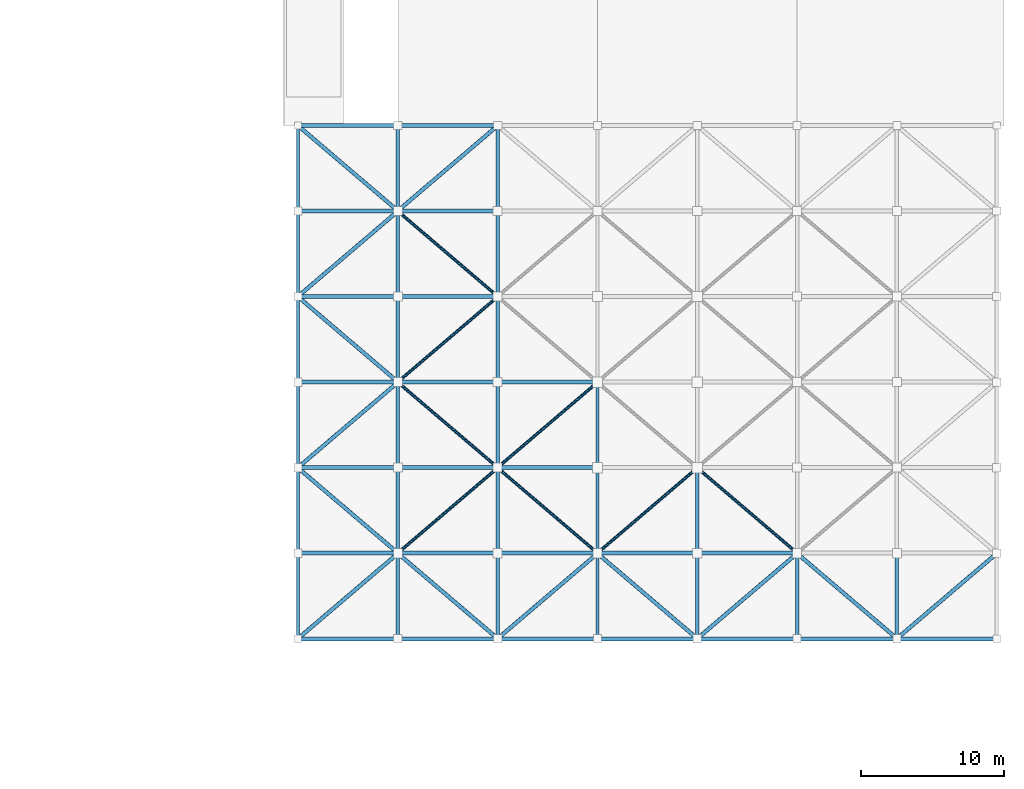
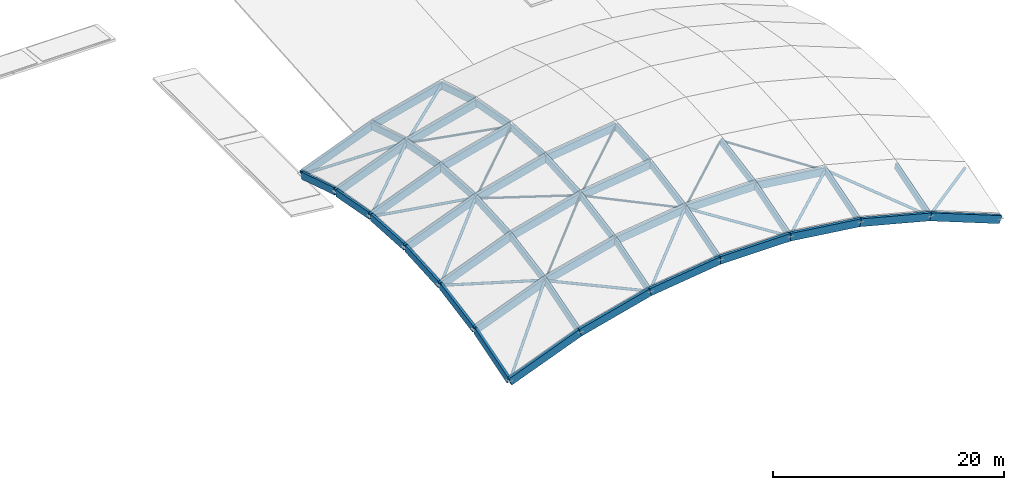
# One storey, part 1 of 11: 49 beams, 21 members.
"""IFC4 building model written with IfcOpenShell, lengths in metres."""

from ifc_helpers import new_model, si_unit, direction, frame, origin, origin_2d, place, context, subcontext, project, spatial, rectangle, hollow_circle, extrude, material, material_profile, profile_set, type_object, element, save


model = new_model("IFC4")

# Units and contexts
model_context = context("Model", 3, precision=1e-05, world=origin(), true_north=direction((0.0, 1.0)))
body_context = subcontext(model_context, "Body", "Model", "MODEL_VIEW")
ifc_project = project(units=[si_unit("LENGTHUNIT", "METRE"), si_unit("AREAUNIT", "SQUARE_METRE"), si_unit("VOLUMEUNIT", "CUBIC_METRE"), si_unit("PLANEANGLEUNIT", "RADIAN"), si_unit("MASSUNIT", "GRAM", prefix="KILO")], contexts=[model_context])

# Site, building, storey
site_placement = place(None, origin())
site = spatial("IfcSite", under=ifc_project, at=site_placement, CompositionType="ELEMENT")
building_placement = place(site_placement, origin())
building = spatial("IfcBuilding", under=site, at=building_placement, Name="Tonlespit Floodbar School", CompositionType="ELEMENT")
storey_placement = place(building_placement, frame((0.0, 0.0, 24.0)))
storey = spatial("IfcBuildingStorey", under=building, at=storey_placement, Name="RF", CompositionType="ELEMENT", Elevation=24.0)

# Beams
ifc_material_1 = material(Name="Glulam GL28h", Category="wood")
ifc_material_profile_1 = material_profile(ifc_material_1, rectangle(XDim=0.239990234375, YDim=0.719970703125, at=origin_2d()), Name="GL 240x720")
ifc_profile_set_1 = profile_set([ifc_material_profile_1], Name="Glulam GL28h")
beam_type_1 = type_object("IfcBeamType", Name="ArchRib_GL_240x720", PredefinedType="BEAM", material=ifc_profile_set_1)
beam_1_placement = place(storey_placement, frame((127.0, 20.139892578125, -14.8349609375), z_axis=(0.0, 0.954941518321, 0.296794030577), x_axis=(-1.0, 0.0, 0.0)))
element("IfcBeam", 1, at=beam_1_placement, inside=storey, type_object=beam_type_1, Name="Gridshell transverse arch rib 1-1", PredefinedType="BEAM", context=body_context, shape_type="SweptSolid", body=[
    extrude(rectangle(XDim=0.239990234375, YDim=0.719970703125, at=origin_2d()), origin(), (0.0, 0.0, 1.0), 5.990234375),
])
beam_2_placement = place(storey_placement, frame((127.0, 26.139892578125, -13.05712890625), z_axis=(0.0, 0.983055045166, 0.183310605733), x_axis=(-1.0, 0.0, 0.0)))
element("IfcBeam", 2, at=beam_2_placement, inside=storey, type_object=beam_type_1, Name="Gridshell transverse arch rib 1-2", PredefinedType="BEAM", context=body_context, shape_type="SweptSolid", body=[
    extrude(rectangle(XDim=0.239990234375, YDim=0.719970703125, at=origin_2d()), origin(), (0.0, 0.0, 1.0), 5.81884765625),
])
for number, where, z_axis, x_axis, name in (
    (3, (127.0, 32.139892578125, -11.990478515625), (0.0, 0.998074725925, 0.062022910839), (-1.0, 0.0, 0.0), "Gridshell transverse arch rib 1-3"),
    (4, (127.0, 38.139892578125, -11.635009765625), (0.0, 0.998074725925, -0.062022910839), (-1.0, 0.0, 0.0), "Gridshell transverse arch rib 1-4"),
):
    element("IfcBeam", number, at=place(storey_placement, frame(where, z_axis=z_axis, x_axis=x_axis)), inside=storey, type_object=beam_type_1, Name=name, PredefinedType="BEAM", context=body_context, shape_type="SweptSolid", body=[
        extrude(rectangle(XDim=0.239990234375, YDim=0.719970703125, at=origin_2d()), origin(), (0.0, 0.0, 1.0), 5.731201171875),
    ])
beam_3_placement = place(storey_placement, frame((127.0, 44.139892578125, -11.990478515625), z_axis=(0.0, 0.983055045166, -0.183310605733), x_axis=(-1.0, 0.0, 0.0)))
element("IfcBeam", 5, at=beam_3_placement, inside=storey, type_object=beam_type_1, Name="Gridshell transverse arch rib 1-5", PredefinedType="BEAM", context=body_context, shape_type="SweptSolid", body=[
    extrude(rectangle(XDim=0.239990234375, YDim=0.719970703125, at=origin_2d()), origin(), (0.0, 0.0, 1.0), 5.81884765625),
])
beam_4_placement = place(storey_placement, frame((127.0, 50.139892578125, -13.05712890625), z_axis=(0.0, 0.954941518321, -0.296794030577), x_axis=(-1.0, 0.0, 0.0)))
element("IfcBeam", 6, at=beam_4_placement, inside=storey, type_object=beam_type_1, Name="Gridshell transverse arch rib 1-6", PredefinedType="BEAM", context=body_context, shape_type="SweptSolid", body=[
    extrude(rectangle(XDim=0.239990234375, YDim=0.719970703125, at=origin_2d()), origin(), (0.0, 0.0, 1.0), 5.990234375),
])
beam_5_placement = place(storey_placement, frame((134.0, 20.139892578125, -12.092041015625), z_axis=(0.0, 0.954953069186, 0.296756862857), x_axis=(-1.0, 0.0, 0.0)))
element("IfcBeam", 7, at=beam_5_placement, inside=storey, type_object=beam_type_1, Name="Gridshell transverse arch rib 2-1", PredefinedType="BEAM", context=body_context, shape_type="SweptSolid", body=[
    extrude(rectangle(XDim=0.239990234375, YDim=0.719970703125, at=origin_2d()), origin(), (0.0, 0.0, 1.0), 5.989990234375),
])
beam_6_placement = place(storey_placement, frame((134.0, 26.139892578125, -10.314453125), z_axis=(0.0, 0.983055045166, 0.183310605733), x_axis=(-1.0, 0.0, 0.0)))
element("IfcBeam", 8, at=beam_6_placement, inside=storey, type_object=beam_type_1, Name="Gridshell transverse arch rib 2-2", PredefinedType="BEAM", context=body_context, shape_type="SweptSolid", body=[
    extrude(rectangle(XDim=0.239990234375, YDim=0.719970703125, at=origin_2d()), origin(), (0.0, 0.0, 1.0), 5.81884765625),
])
for number, where, z_axis, x_axis, name in (
    (9, (134.0, 32.139892578125, -9.247802734375), (0.0, 0.998072088056, 0.062065344955), (-1.0, 0.0, 0.0), "Gridshell transverse arch rib 2-3"),
    (10, (134.0, 38.139892578125, -8.89208984375), (0.0, 0.998072088056, -0.062065344955), (-1.0, 0.0, 0.0), "Gridshell transverse arch rib 2-4"),
):
    element("IfcBeam", number, at=place(storey_placement, frame(where, z_axis=z_axis, x_axis=x_axis)), inside=storey, type_object=beam_type_1, Name=name, PredefinedType="BEAM", context=body_context, shape_type="SweptSolid", body=[
        extrude(rectangle(XDim=0.239990234375, YDim=0.719970703125, at=origin_2d()), origin(), (0.0, 0.0, 1.0), 5.731201171875),
    ])
beam_7_placement = place(storey_placement, frame((134.0, 44.139892578125, -9.247802734375), z_axis=(0.0, 0.983055045166, -0.183310605733), x_axis=(-1.0, 0.0, 0.0)))
element("IfcBeam", 11, at=beam_7_placement, inside=storey, type_object=beam_type_1, Name="Gridshell transverse arch rib 2-5", PredefinedType="BEAM", context=body_context, shape_type="SweptSolid", body=[
    extrude(rectangle(XDim=0.239990234375, YDim=0.719970703125, at=origin_2d()), origin(), (0.0, 0.0, 1.0), 5.81884765625),
])
beam_8_placement = place(storey_placement, frame((134.0, 50.139892578125, -10.314453125), z_axis=(0.0, 0.954953069186, -0.296756862857), x_axis=(-1.0, 0.0, 0.0)))
element("IfcBeam", 12, at=beam_8_placement, inside=storey, type_object=beam_type_1, Name="Gridshell transverse arch rib 2-6", PredefinedType="BEAM", context=body_context, shape_type="SweptSolid", body=[
    extrude(rectangle(XDim=0.239990234375, YDim=0.719970703125, at=origin_2d()), origin(), (0.0, 0.0, 1.0), 5.989990234375),
])
beam_9_placement = place(storey_placement, frame((141.0, 20.139892578125, -10.263671875), z_axis=(0.0, 0.954941518321, 0.296794030577), x_axis=(-1.0, 0.0, 0.0)))
element("IfcBeam", 13, at=beam_9_placement, inside=storey, type_object=beam_type_1, Name="Gridshell transverse arch rib 3-1", PredefinedType="BEAM", context=body_context, shape_type="SweptSolid", body=[
    extrude(rectangle(XDim=0.239990234375, YDim=0.719970703125, at=origin_2d()), origin(), (0.0, 0.0, 1.0), 5.990234375),
])
beam_10_placement = place(storey_placement, frame((141.0, 26.139892578125, -8.48583984375), z_axis=(0.0, 0.983055045166, 0.183310605733), x_axis=(-1.0, 0.0, 0.0)))
element("IfcBeam", 14, at=beam_10_placement, inside=storey, type_object=beam_type_1, Name="Gridshell transverse arch rib 3-2", PredefinedType="BEAM", context=body_context, shape_type="SweptSolid", body=[
    extrude(rectangle(XDim=0.239990234375, YDim=0.719970703125, at=origin_2d()), origin(), (0.0, 0.0, 1.0), 5.81884765625),
])
for number, where, z_axis, x_axis, name in (
    (15, (141.0, 32.139892578125, -7.419189453125), (0.0, 0.998074725925, 0.062022910839), (-1.0, 0.0, 0.0), "Gridshell transverse arch rib 3-3"),
    (16, (141.0, 38.139892578125, -7.063720703125), (0.0, 0.998074725925, -0.062022910839), (-1.0, 0.0, 0.0), "Gridshell transverse arch rib 3-4"),
):
    element("IfcBeam", number, at=place(storey_placement, frame(where, z_axis=z_axis, x_axis=x_axis)), inside=storey, type_object=beam_type_1, Name=name, PredefinedType="BEAM", context=body_context, shape_type="SweptSolid", body=[
        extrude(rectangle(XDim=0.239990234375, YDim=0.719970703125, at=origin_2d()), origin(), (0.0, 0.0, 1.0), 5.731201171875),
    ])
beam_11_placement = place(storey_placement, frame((141.0, 44.139892578125, -7.419189453125), z_axis=(0.0, 0.983055045166, -0.183310605733), x_axis=(-1.0, 0.0, 0.0)))
element("IfcBeam", 17, at=beam_11_placement, inside=storey, type_object=beam_type_1, Name="Gridshell transverse arch rib 3-5", PredefinedType="BEAM", context=body_context, shape_type="SweptSolid", body=[
    extrude(rectangle(XDim=0.239990234375, YDim=0.719970703125, at=origin_2d()), origin(), (0.0, 0.0, 1.0), 5.81884765625),
])
for number, where, z_axis, x_axis, name in (
    (18, (141.0, 50.139892578125, -8.48583984375), (0.0, 0.954941518321, -0.296794030577), (-1.0, 0.0, 0.0), "Gridshell transverse arch rib 3-6"),
    (19, (148.0, 20.139892578125, -9.349365234375), (0.0, 0.954941518321, 0.296794030577), (-1.0, 0.0, 0.0), "Gridshell transverse arch rib 4-1"),
):
    element("IfcBeam", number, at=place(storey_placement, frame(where, z_axis=z_axis, x_axis=x_axis)), inside=storey, type_object=beam_type_1, Name=name, PredefinedType="BEAM", context=body_context, shape_type="SweptSolid", body=[
        extrude(rectangle(XDim=0.239990234375, YDim=0.719970703125, at=origin_2d()), origin(), (0.0, 0.0, 1.0), 5.990234375),
    ])
beam_12_placement = place(storey_placement, frame((148.0, 26.139892578125, -7.571533203125), z_axis=(0.0, 0.983055045166, 0.183310605733), x_axis=(-1.0, 0.0, 0.0)))
element("IfcBeam", 20, at=beam_12_placement, inside=storey, type_object=beam_type_1, Name="Gridshell transverse arch rib 4-2", PredefinedType="BEAM", context=body_context, shape_type="SweptSolid", body=[
    extrude(rectangle(XDim=0.239990234375, YDim=0.719970703125, at=origin_2d()), origin(), (0.0, 0.0, 1.0), 5.81884765625),
])
beam_13_placement = place(storey_placement, frame((148.0, 32.139892578125, -6.5048828125), z_axis=(0.0, 0.998074725925, 0.062022910839), x_axis=(-1.0, 0.0, 0.0)))
element("IfcBeam", 21, at=beam_13_placement, inside=storey, type_object=beam_type_1, Name="Gridshell transverse arch rib 4-3", PredefinedType="BEAM", context=body_context, shape_type="SweptSolid", body=[
    extrude(rectangle(XDim=0.239990234375, YDim=0.719970703125, at=origin_2d()), origin(), (0.0, 0.0, 1.0), 5.731201171875),
])
beam_14_placement = place(storey_placement, frame((155.0, 20.139892578125, -9.349365234375), z_axis=(0.0, 0.954941518321, 0.296794030577), x_axis=(-1.0, 0.0, 0.0)))
element("IfcBeam", 22, at=beam_14_placement, inside=storey, type_object=beam_type_1, Name="Gridshell transverse arch rib 5-1", PredefinedType="BEAM", context=body_context, shape_type="SweptSolid", body=[
    extrude(rectangle(XDim=0.239990234375, YDim=0.719970703125, at=origin_2d()), origin(), (0.0, 0.0, 1.0), 5.990234375),
])
beam_15_placement = place(storey_placement, frame((155.0, 26.139892578125, -7.571533203125), z_axis=(0.0, 0.983055045166, 0.183310605733), x_axis=(-1.0, 0.0, 0.0)))
element("IfcBeam", 23, at=beam_15_placement, inside=storey, type_object=beam_type_1, Name="Gridshell transverse arch rib 5-2", PredefinedType="BEAM", context=body_context, shape_type="SweptSolid", body=[
    extrude(rectangle(XDim=0.239990234375, YDim=0.719970703125, at=origin_2d()), origin(), (0.0, 0.0, 1.0), 5.81884765625),
])
beam_16_placement = place(storey_placement, frame((162.0, 20.139892578125, -10.263671875), z_axis=(0.0, 0.954941518321, 0.296794030577), x_axis=(-1.0, 0.0, 0.0)))
element("IfcBeam", 24, at=beam_16_placement, inside=storey, type_object=beam_type_1, Name="Gridshell transverse arch rib 6-1", PredefinedType="BEAM", context=body_context, shape_type="SweptSolid", body=[
    extrude(rectangle(XDim=0.239990234375, YDim=0.719970703125, at=origin_2d()), origin(), (0.0, 0.0, 1.0), 5.990234375),
])
beam_17_placement = place(storey_placement, frame((169.0, 20.139892578125, -12.092041015625), z_axis=(0.0, 0.954953069186, 0.296756862857), x_axis=(-1.0, 0.0, 0.0)))
element("IfcBeam", 25, at=beam_17_placement, inside=storey, type_object=beam_type_1, Name="Gridshell transverse arch rib 7-1", PredefinedType="BEAM", context=body_context, shape_type="SweptSolid", body=[
    extrude(rectangle(XDim=0.239990234375, YDim=0.719970703125, at=origin_2d()), origin(), (0.0, 0.0, 1.0), 5.989990234375),
])
ifc_material_profile_2 = material_profile(ifc_material_1, rectangle(XDim=0.280029296875, YDim=0.800048828125, at=origin_2d()), Name="GL 280x800")
ifc_profile_set_2 = profile_set([ifc_material_profile_2], Name="Glulam GL28h")
beam_type_2 = type_object("IfcBeamType", Name="ArchRib_GL_280x800", PredefinedType="BEAM", material=ifc_profile_set_2)
beam_18_placement = place(storey_placement, frame((127.0, 20.0, -14.875), z_axis=(0.931071633846, 0.0, 0.364836419024), x_axis=(0.0, 1.0, 0.0)))
element("IfcBeam", 26, at=beam_18_placement, inside=storey, type_object=beam_type_2, Name="Gridshell longitudinal arch rib 1-1", PredefinedType="BEAM", context=body_context, shape_type="SweptSolid", body=[
    extrude(rectangle(XDim=0.280029296875, YDim=0.800048828125, at=origin_2d()), origin(), (0.0, 0.0, 1.0), 7.518310546875),
])
beam_19_placement = place(storey_placement, frame((134.0, 20.0, -12.132080078125), z_axis=(0.967540180935, 0.0, 0.252717229877), x_axis=(0.0, 1.0, 0.0)))
element("IfcBeam", 27, at=beam_19_placement, inside=storey, type_object=beam_type_2, Name="Gridshell longitudinal arch rib 1-2", PredefinedType="BEAM", context=body_context, shape_type="SweptSolid", body=[
    extrude(rectangle(XDim=0.280029296875, YDim=0.800048828125, at=origin_2d()), origin(), (0.0, 0.0, 1.0), 7.23486328125),
])
beam_20_placement = place(storey_placement, frame((141.0, 20.0, -10.3037109375), z_axis=(0.991577447063, 0.0, 0.129515120649), x_axis=(0.0, 1.0, 0.0)))
element("IfcBeam", 28, at=beam_20_placement, inside=storey, type_object=beam_type_2, Name="Gridshell longitudinal arch rib 1-3", PredefinedType="BEAM", context=body_context, shape_type="SweptSolid", body=[
    extrude(rectangle(XDim=0.280029296875, YDim=0.800048828125, at=origin_2d()), origin(), (0.0, 0.0, 1.0), 7.0595703125),
])
beam_21_placement = place(storey_placement, frame((148.0, 20.0, -9.389404296875), z_axis=(1.0, 0.0, 0.0), x_axis=(0.0, 1.0, 0.0)))
element("IfcBeam", 29, at=beam_21_placement, inside=storey, type_object=beam_type_2, Name="Gridshell longitudinal arch rib 1-4", PredefinedType="BEAM", context=body_context, shape_type="SweptSolid", body=[
    extrude(rectangle(XDim=0.280029296875, YDim=0.800048828125, at=origin_2d()), origin(), (0.0, 0.0, 1.0), 7.0),
])
beam_22_placement = place(storey_placement, frame((155.0, 20.0, -9.389404296875), z_axis=(0.991577447063, 0.0, -0.129515120649), x_axis=(0.0, 1.0, 0.0)))
element("IfcBeam", 30, at=beam_22_placement, inside=storey, type_object=beam_type_2, Name="Gridshell longitudinal arch rib 1-5", PredefinedType="BEAM", context=body_context, shape_type="SweptSolid", body=[
    extrude(rectangle(XDim=0.280029296875, YDim=0.800048828125, at=origin_2d()), origin(), (0.0, 0.0, 1.0), 7.0595703125),
])
beam_23_placement = place(storey_placement, frame((162.0, 20.0, -10.3037109375), z_axis=(0.967540180935, 0.0, -0.252717229877), x_axis=(0.0, 1.0, 0.0)))
element("IfcBeam", 31, at=beam_23_placement, inside=storey, type_object=beam_type_2, Name="Gridshell longitudinal arch rib 1-6", PredefinedType="BEAM", context=body_context, shape_type="SweptSolid", body=[
    extrude(rectangle(XDim=0.280029296875, YDim=0.800048828125, at=origin_2d()), origin(), (0.0, 0.0, 1.0), 7.23486328125),
])
beam_24_placement = place(storey_placement, frame((169.0, 20.0, -12.132080078125), z_axis=(0.931071633846, 0.0, -0.364836419024), x_axis=(0.0, 1.0, 0.0)))
element("IfcBeam", 32, at=beam_24_placement, inside=storey, type_object=beam_type_2, Name="Gridshell longitudinal arch rib 1-7", PredefinedType="BEAM", context=body_context, shape_type="SweptSolid", body=[
    extrude(rectangle(XDim=0.280029296875, YDim=0.800048828125, at=origin_2d()), origin(), (0.0, 0.0, 1.0), 7.518310546875),
])
beam_25_placement = place(storey_placement, frame((127.0, 26.0, -13.09716796875), z_axis=(0.931082664336, 0.0, 0.364808267688), x_axis=(0.0, 1.0, 0.0)))
element("IfcBeam", 33, at=beam_25_placement, inside=storey, type_object=beam_type_2, Name="Gridshell longitudinal arch rib 2-1", PredefinedType="BEAM", context=body_context, shape_type="SweptSolid", body=[
    extrude(rectangle(XDim=0.280029296875, YDim=0.800048828125, at=origin_2d()), origin(), (0.0, 0.0, 1.0), 7.51806640625),
])
beam_26_placement = place(storey_placement, frame((134.0, 26.0, -10.3544921875), z_axis=(0.967531929332, 0.0, 0.25274881943), x_axis=(0.0, 1.0, 0.0)))
element("IfcBeam", 34, at=beam_26_placement, inside=storey, type_object=beam_type_2, Name="Gridshell longitudinal arch rib 2-2", PredefinedType="BEAM", context=body_context, shape_type="SweptSolid", body=[
    extrude(rectangle(XDim=0.280029296875, YDim=0.800048828125, at=origin_2d()), origin(), (0.0, 0.0, 1.0), 7.23486328125),
])
beam_27_placement = place(storey_placement, frame((141.0, 26.0, -8.52587890625), z_axis=(0.991577447063, 0.0, 0.129515120649), x_axis=(0.0, 1.0, 0.0)))
element("IfcBeam", 35, at=beam_27_placement, inside=storey, type_object=beam_type_2, Name="Gridshell longitudinal arch rib 2-3", PredefinedType="BEAM", context=body_context, shape_type="SweptSolid", body=[
    extrude(rectangle(XDim=0.280029296875, YDim=0.800048828125, at=origin_2d()), origin(), (0.0, 0.0, 1.0), 7.0595703125),
])
beam_28_placement = place(storey_placement, frame((148.0, 26.0, -7.611572265625), z_axis=(1.0, 0.0, 0.0), x_axis=(0.0, 1.0, 0.0)))
element("IfcBeam", 36, at=beam_28_placement, inside=storey, type_object=beam_type_2, Name="Gridshell longitudinal arch rib 2-4", PredefinedType="BEAM", context=body_context, shape_type="SweptSolid", body=[
    extrude(rectangle(XDim=0.280029296875, YDim=0.800048828125, at=origin_2d()), origin(), (0.0, 0.0, 1.0), 7.0),
])
beam_29_placement = place(storey_placement, frame((155.0, 26.0, -7.611572265625), z_axis=(0.991577447063, 0.0, -0.129515120649), x_axis=(0.0, 1.0, 0.0)))
element("IfcBeam", 37, at=beam_29_placement, inside=storey, type_object=beam_type_2, Name="Gridshell longitudinal arch rib 2-5", PredefinedType="BEAM", context=body_context, shape_type="SweptSolid", body=[
    extrude(rectangle(XDim=0.280029296875, YDim=0.800048828125, at=origin_2d()), origin(), (0.0, 0.0, 1.0), 7.0595703125),
])
beam_30_placement = place(storey_placement, frame((127.0, 32.0, -12.030517578125), z_axis=(0.931071633846, 0.0, 0.364836419024), x_axis=(0.0, 1.0, 0.0)))
element("IfcBeam", 38, at=beam_30_placement, inside=storey, type_object=beam_type_2, Name="Gridshell longitudinal arch rib 3-1", PredefinedType="BEAM", context=body_context, shape_type="SweptSolid", body=[
    extrude(rectangle(XDim=0.280029296875, YDim=0.800048828125, at=origin_2d()), origin(), (0.0, 0.0, 1.0), 7.518310546875),
])
beam_31_placement = place(storey_placement, frame((134.0, 32.0, -9.28759765625), z_axis=(0.967531929332, 0.0, 0.25274881943), x_axis=(0.0, 1.0, 0.0)))
element("IfcBeam", 39, at=beam_31_placement, inside=storey, type_object=beam_type_2, Name="Gridshell longitudinal arch rib 3-2", PredefinedType="BEAM", context=body_context, shape_type="SweptSolid", body=[
    extrude(rectangle(XDim=0.280029296875, YDim=0.800048828125, at=origin_2d()), origin(), (0.0, 0.0, 1.0), 7.23486328125),
])
beam_32_placement = place(storey_placement, frame((141.0, 32.0, -7.458984375), z_axis=(0.991581887857, 0.0, 0.129481117053), x_axis=(0.0, 1.0, 0.0)))
element("IfcBeam", 40, at=beam_32_placement, inside=storey, type_object=beam_type_2, Name="Gridshell longitudinal arch rib 3-3", PredefinedType="BEAM", context=body_context, shape_type="SweptSolid", body=[
    extrude(rectangle(XDim=0.280029296875, YDim=0.800048828125, at=origin_2d()), origin(), (0.0, 0.0, 1.0), 7.059326171875),
])
beam_33_placement = place(storey_placement, frame((127.0, 38.0, -11.675048828125), z_axis=(0.931071633846, 0.0, 0.364836419024), x_axis=(0.0, 1.0, 0.0)))
element("IfcBeam", 41, at=beam_33_placement, inside=storey, type_object=beam_type_2, Name="Gridshell longitudinal arch rib 4-1", PredefinedType="BEAM", context=body_context, shape_type="SweptSolid", body=[
    extrude(rectangle(XDim=0.280029296875, YDim=0.800048828125, at=origin_2d()), origin(), (0.0, 0.0, 1.0), 7.518310546875),
])
beam_34_placement = place(storey_placement, frame((134.0, 38.0, -8.93212890625), z_axis=(0.967531929332, 0.0, 0.25274881943), x_axis=(0.0, 1.0, 0.0)))
element("IfcBeam", 42, at=beam_34_placement, inside=storey, type_object=beam_type_2, Name="Gridshell longitudinal arch rib 4-2", PredefinedType="BEAM", context=body_context, shape_type="SweptSolid", body=[
    extrude(rectangle(XDim=0.280029296875, YDim=0.800048828125, at=origin_2d()), origin(), (0.0, 0.0, 1.0), 7.23486328125),
])
beam_35_placement = place(storey_placement, frame((141.0, 38.0, -7.103515625), z_axis=(0.991577447063, 0.0, 0.129515120649), x_axis=(0.0, 1.0, 0.0)))
element("IfcBeam", 43, at=beam_35_placement, inside=storey, type_object=beam_type_2, Name="Gridshell longitudinal arch rib 4-3", PredefinedType="BEAM", context=body_context, shape_type="SweptSolid", body=[
    extrude(rectangle(XDim=0.280029296875, YDim=0.800048828125, at=origin_2d()), origin(), (0.0, 0.0, 1.0), 7.0595703125),
])
beam_36_placement = place(storey_placement, frame((127.0, 44.0, -12.030517578125), z_axis=(0.931071633846, 0.0, 0.364836419024), x_axis=(0.0, 1.0, 0.0)))
element("IfcBeam", 44, at=beam_36_placement, inside=storey, type_object=beam_type_2, Name="Gridshell longitudinal arch rib 5-1", PredefinedType="BEAM", context=body_context, shape_type="SweptSolid", body=[
    extrude(rectangle(XDim=0.280029296875, YDim=0.800048828125, at=origin_2d()), origin(), (0.0, 0.0, 1.0), 7.518310546875),
])
beam_37_placement = place(storey_placement, frame((134.0, 44.0, -9.28759765625), z_axis=(0.967531929332, 0.0, 0.25274881943), x_axis=(0.0, 1.0, 0.0)))
element("IfcBeam", 45, at=beam_37_placement, inside=storey, type_object=beam_type_2, Name="Gridshell longitudinal arch rib 5-2", PredefinedType="BEAM", context=body_context, shape_type="SweptSolid", body=[
    extrude(rectangle(XDim=0.280029296875, YDim=0.800048828125, at=origin_2d()), origin(), (0.0, 0.0, 1.0), 7.23486328125),
])
beam_38_placement = place(storey_placement, frame((127.0, 50.0, -13.09716796875), z_axis=(0.931082664336, 0.0, 0.364808267688), x_axis=(0.0, 1.0, 0.0)))
element("IfcBeam", 46, at=beam_38_placement, inside=storey, type_object=beam_type_2, Name="Gridshell longitudinal arch rib 6-1", PredefinedType="BEAM", context=body_context, shape_type="SweptSolid", body=[
    extrude(rectangle(XDim=0.280029296875, YDim=0.800048828125, at=origin_2d()), origin(), (0.0, 0.0, 1.0), 7.51806640625),
])
beam_39_placement = place(storey_placement, frame((134.0, 50.0, -10.3544921875), z_axis=(0.967531929332, 0.0, 0.25274881943), x_axis=(0.0, 1.0, 0.0)))
element("IfcBeam", 47, at=beam_39_placement, inside=storey, type_object=beam_type_2, Name="Gridshell longitudinal arch rib 6-2", PredefinedType="BEAM", context=body_context, shape_type="SweptSolid", body=[
    extrude(rectangle(XDim=0.280029296875, YDim=0.800048828125, at=origin_2d()), origin(), (0.0, 0.0, 1.0), 7.23486328125),
])
beam_40_placement = place(storey_placement, frame((127.0, 56.0, -14.875), z_axis=(0.931071633846, 0.0, 0.364836419024), x_axis=(0.0, 1.0, 0.0)))
element("IfcBeam", 48, at=beam_40_placement, inside=storey, type_object=beam_type_2, Name="Gridshell longitudinal arch rib 7-1", PredefinedType="BEAM", context=body_context, shape_type="SweptSolid", body=[
    extrude(rectangle(XDim=0.280029296875, YDim=0.800048828125, at=origin_2d()), origin(), (0.0, 0.0, 1.0), 7.518310546875),
])
beam_41_placement = place(storey_placement, frame((134.0, 56.0, -12.132080078125), z_axis=(0.967540180935, 0.0, 0.252717229877), x_axis=(0.0, 1.0, 0.0)))
element("IfcBeam", 49, at=beam_41_placement, inside=storey, type_object=beam_type_2, Name="Gridshell longitudinal arch rib 7-2", PredefinedType="BEAM", context=body_context, shape_type="SweptSolid", body=[
    extrude(rectangle(XDim=0.280029296875, YDim=0.800048828125, at=origin_2d()), origin(), (0.0, 0.0, 1.0), 7.23486328125),
])

# Members
ifc_material_2 = material(Name="Steel S355", Category="steel")
ifc_material_profile_3 = material_profile(ifc_material_2, hollow_circle(Radius=0.109619140625, WallThickness=0.008056640625, at=origin_2d()), Name="CHS 219.1x8")
ifc_profile_set_3 = profile_set([ifc_material_profile_3], Name="Steel S355")
member_type_1 = type_object("IfcMemberType", Name="Diag_STL_CHS219", PredefinedType="BRACE", material=ifc_profile_set_3)
member_1_placement = place(storey_placement, frame((134.10009765625, 26.10009765625, -10.309326171875), z_axis=(0.72380288224, 0.617358224562, 0.308185350441), x_axis=(-0.648944745728, 0.760835538728, 0.0)))
element("IfcMember", 50, at=member_1_placement, inside=storey, type_object=member_type_1, Name="Gridshell diagonal brace 2-2", PredefinedType="BRACE", context=body_context, shape_type="SweptSolid", body=[
    extrude(hollow_circle(Radius=0.109619140625, WallThickness=0.008056640625, at=origin_2d()), origin(), (0.0, 0.0, 1.0), 9.39453125),
])
for number, where, z_axis, x_axis, name in (
    (51, (134.10009765625, 37.89990234375, -8.88720703125), (0.750705784251, -0.640304703816, 0.162636747888), (0.648944745728, 0.760835538728, 0.0), "Gridshell diagonal brace 2-3"),
    (52, (134.10009765625, 38.10009765625, -8.88720703125), (0.750705784251, 0.640304703816, 0.162636747888), (-0.648944745728, 0.760835538728, 0.0), "Gridshell diagonal brace 2-4"),
):
    element("IfcMember", number, at=place(storey_placement, frame(where, z_axis=z_axis, x_axis=x_axis)), inside=storey, type_object=member_type_1, Name=name, PredefinedType="BRACE", context=body_context, shape_type="SweptSolid", body=[
        extrude(hollow_circle(Radius=0.109619140625, WallThickness=0.008056640625, at=origin_2d()), origin(), (0.0, 0.0, 1.0), 9.057861328125),
    ])
member_2_placement = place(storey_placement, frame((134.10009765625, 49.89990234375, -10.309326171875), z_axis=(0.72380288224, -0.617358224562, 0.308185350441), x_axis=(0.648944745728, 0.760835538728, 0.0)))
element("IfcMember", 53, at=member_2_placement, inside=storey, type_object=member_type_1, Name="Gridshell diagonal brace 2-5", PredefinedType="BRACE", context=body_context, shape_type="SweptSolid", body=[
    extrude(hollow_circle(Radius=0.109619140625, WallThickness=0.008056640625, at=origin_2d()), origin(), (0.0, 0.0, 1.0), 9.39453125),
])
member_3_placement = place(storey_placement, frame((141.10009765625, 31.89990234375, -7.4140625), z_axis=(0.760725028073, -0.648850487107, -0.0170433871), x_axis=(0.648944745728, 0.760835538728, 0.0)))
element("IfcMember", 54, at=member_3_placement, inside=storey, type_object=member_type_1, Name="Gridshell diagonal brace 3-2", PredefinedType="BRACE", context=body_context, shape_type="SweptSolid", body=[
    extrude(hollow_circle(Radius=0.109619140625, WallThickness=0.008056640625, at=origin_2d()), origin(), (0.0, 0.0, 1.0), 8.9384765625),
])
member_4_placement = place(storey_placement, frame((141.10009765625, 32.10009765625, -7.4140625), z_axis=(0.753270894891, 0.642492581467, 0.1406635762), x_axis=(-0.648944745728, 0.760835538728, 0.0)))
element("IfcMember", 55, at=member_4_placement, inside=storey, type_object=member_type_1, Name="Gridshell diagonal brace 3-3", PredefinedType="BRACE", context=body_context, shape_type="SweptSolid", body=[
    extrude(hollow_circle(Radius=0.109619140625, WallThickness=0.008056640625, at=origin_2d()), origin(), (0.0, 0.0, 1.0), 9.027099609375),
])
member_5_placement = place(storey_placement, frame((148.10009765625, 26.10009765625, -7.56640625), z_axis=(0.755474065624, 0.644371747198, 0.118507331348), x_axis=(-0.648944745728, 0.760835538728, 0.0)))
element("IfcMember", 56, at=member_5_placement, inside=storey, type_object=member_type_1, Name="Gridshell diagonal brace 4-2", PredefinedType="BRACE", context=body_context, shape_type="SweptSolid", body=[
    extrude(hollow_circle(Radius=0.109619140625, WallThickness=0.008056640625, at=origin_2d()), origin(), (0.0, 0.0, 1.0), 9.000732421875),
])
member_6_placement = place(storey_placement, frame((155.10009765625, 31.89990234375, -6.499755859375), z_axis=(0.742807574318, -0.633568028705, -0.216398845972), x_axis=(0.648944745728, 0.760835538728, 0.0)))
element("IfcMember", 57, at=member_6_placement, inside=storey, type_object=member_type_1, Name="Gridshell diagonal brace 5-2", PredefinedType="BRACE", context=body_context, shape_type="SweptSolid", body=[
    extrude(hollow_circle(Radius=0.109619140625, WallThickness=0.008056640625, at=origin_2d()), origin(), (0.0, 0.0, 1.0), 9.154296875),
])
ifc_material_profile_4 = material_profile(ifc_material_2, hollow_circle(Radius=0.136474609375, WallThickness=0.010009765625, at=origin_2d()), Name="CHS 273x10")
ifc_profile_set_4 = profile_set([ifc_material_profile_4], Name="Steel S355")
member_type_2 = type_object("IfcMemberType", Name="Diag_STL_CHS273", PredefinedType="BRACE", material=ifc_profile_set_4)
member_7_placement = place(storey_placement, frame((127.10009765625, 20.10009765625, -14.830078125), z_axis=(0.678921239555, 0.579077013029, 0.451370982078), x_axis=(-0.648944745728, 0.760835538728, 0.0)))
element("IfcMember", 58, at=member_7_placement, inside=storey, type_object=member_type_2, Name="Gridshell diagonal brace 1-1", PredefinedType="BRACE", context=body_context, shape_type="SweptSolid", body=[
    extrude(hollow_circle(Radius=0.136474609375, WallThickness=0.010009765625, at=origin_2d()), origin(), (0.0, 0.0, 1.0), 10.015625),
])
member_8_placement = place(storey_placement, frame((127.10009765625, 31.89990234375, -11.985595703125), z_axis=(0.747796079866, -0.637822909424, 0.184344674866), x_axis=(0.648944745728, 0.760835538728, 0.0)))
element("IfcMember", 59, at=member_8_placement, inside=storey, type_object=member_type_2, Name="Gridshell diagonal brace 1-2", PredefinedType="BRACE", context=body_context, shape_type="SweptSolid", body=[
    extrude(hollow_circle(Radius=0.136474609375, WallThickness=0.010009765625, at=origin_2d()), origin(), (0.0, 0.0, 1.0), 9.093017578125),
])
for number, where, z_axis, x_axis, name in (
    (60, (127.10009765625, 32.10009765625, -11.985595703125), (0.718861732482, 0.613143735345, 0.327555444741), (-0.648944745728, 0.760835538728, 0.0), "Gridshell diagonal brace 1-3"),
    (61, (127.10009765625, 43.89990234375, -11.985595703125), (0.718861732482, -0.613143735345, 0.327555444741), (0.648944745728, 0.760835538728, 0.0), "Gridshell diagonal brace 1-4"),
):
    element("IfcMember", number, at=place(storey_placement, frame(where, z_axis=z_axis, x_axis=x_axis)), inside=storey, type_object=member_type_2, Name=name, PredefinedType="BRACE", context=body_context, shape_type="SweptSolid", body=[
        extrude(hollow_circle(Radius=0.136474609375, WallThickness=0.010009765625, at=origin_2d()), origin(), (0.0, 0.0, 1.0), 9.459228515625),
    ])
member_9_placement = place(storey_placement, frame((127.10009765625, 44.10009765625, -11.985595703125), z_axis=(0.747796079866, 0.637822909424, 0.184344674866), x_axis=(-0.648944745728, 0.760835538728, 0.0)))
element("IfcMember", 62, at=member_9_placement, inside=storey, type_object=member_type_2, Name="Gridshell diagonal brace 1-5", PredefinedType="BRACE", context=body_context, shape_type="SweptSolid", body=[
    extrude(hollow_circle(Radius=0.136474609375, WallThickness=0.010009765625, at=origin_2d()), origin(), (0.0, 0.0, 1.0), 9.093017578125),
])
member_10_placement = place(storey_placement, frame((127.10009765625, 55.89990234375, -14.830078125), z_axis=(0.678921239555, -0.579077013029, 0.451370982078), x_axis=(0.648944745728, 0.760835538728, 0.0)))
element("IfcMember", 63, at=member_10_placement, inside=storey, type_object=member_type_2, Name="Gridshell diagonal brace 1-6", PredefinedType="BRACE", context=body_context, shape_type="SweptSolid", body=[
    extrude(hollow_circle(Radius=0.136474609375, WallThickness=0.010009765625, at=origin_2d()), origin(), (0.0, 0.0, 1.0), 10.015625),
])
for number, where, z_axis, x_axis, name in (
    (64, (134.10009765625, 25.89990234375, -10.309326171875), (0.760823257388, -0.64893427052, 0.005681862614), (0.648944745728, 0.760835538728, 0.0), "Gridshell diagonal brace 2-1"),
    (65, (134.10009765625, 50.10009765625, -10.309326171875), (0.760823257388, 0.64893427052, 0.005681862614), (-0.648944745728, 0.760835538728, 0.0), "Gridshell diagonal brace 2-6"),
):
    element("IfcMember", number, at=place(storey_placement, frame(where, z_axis=z_axis, x_axis=x_axis)), inside=storey, type_object=member_type_2, Name=name, PredefinedType="BRACE", context=body_context, shape_type="SweptSolid", body=[
        extrude(hollow_circle(Radius=0.136474609375, WallThickness=0.010009765625, at=origin_2d()), origin(), (0.0, 0.0, 1.0), 8.9375),
    ])
member_11_placement = place(storey_placement, frame((141.10009765625, 20.10009765625, -10.258544921875), z_axis=(0.72850209215, 0.621366354341, 0.288424262894), x_axis=(-0.648944745728, 0.760835538728, 0.0)))
element("IfcMember", 66, at=member_11_placement, inside=storey, type_object=member_type_2, Name="Gridshell diagonal brace 3-1", PredefinedType="BRACE", context=body_context, shape_type="SweptSolid", body=[
    extrude(hollow_circle(Radius=0.136474609375, WallThickness=0.010009765625, at=origin_2d()), origin(), (0.0, 0.0, 1.0), 9.333984375),
])
member_12_placement = place(storey_placement, frame((148.10009765625, 25.89990234375, -7.56640625), z_axis=(0.746214773895, -0.636474155129, -0.195100387172), x_axis=(0.648944745728, 0.760835538728, 0.0)))
element("IfcMember", 67, at=member_12_placement, inside=storey, type_object=member_type_2, Name="Gridshell diagonal brace 4-1", PredefinedType="BRACE", context=body_context, shape_type="SweptSolid", body=[
    extrude(hollow_circle(Radius=0.136474609375, WallThickness=0.010009765625, at=origin_2d()), origin(), (0.0, 0.0, 1.0), 9.1123046875),
])
member_13_placement = place(storey_placement, frame((155.10009765625, 20.10009765625, -9.34423828125), z_axis=(0.757308811429, 0.645936669694, 0.096172672197), x_axis=(-0.648944745728, 0.760835538728, 0.0)))
element("IfcMember", 68, at=member_13_placement, inside=storey, type_object=member_type_2, Name="Gridshell diagonal brace 5-1", PredefinedType="BRACE", context=body_context, shape_type="SweptSolid", body=[
    extrude(hollow_circle(Radius=0.136474609375, WallThickness=0.010009765625, at=origin_2d()), origin(), (0.0, 0.0, 1.0), 8.97900390625),
])
member_14_placement = place(storey_placement, frame((162.10009765625, 25.89990234375, -8.480712890625), z_axis=(0.705556451811, -0.601795169798, -0.374209389134), x_axis=(0.648944745728, 0.760835538728, 0.0)))
element("IfcMember", 69, at=member_14_placement, inside=storey, type_object=member_type_2, Name="Gridshell diagonal brace 6-1", PredefinedType="BRACE", context=body_context, shape_type="SweptSolid", body=[
    extrude(hollow_circle(Radius=0.136474609375, WallThickness=0.010009765625, at=origin_2d()), origin(), (0.0, 0.0, 1.0), 9.637451171875),
])
member_15_placement = place(storey_placement, frame((169.10009765625, 20.10009765625, -12.087158203125), z_axis=(0.756438044618, 0.645193960503, -0.107360318482), x_axis=(-0.648944745728, 0.760835538728, 0.0)))
element("IfcMember", 70, at=member_15_placement, inside=storey, type_object=member_type_2, Name="Gridshell diagonal brace 7-1", PredefinedType="BRACE", context=body_context, shape_type="SweptSolid", body=[
    extrude(hollow_circle(Radius=0.136474609375, WallThickness=0.010009765625, at=origin_2d()), origin(), (0.0, 0.0, 1.0), 8.9892578125),
])

save(model, "model.ifc")
